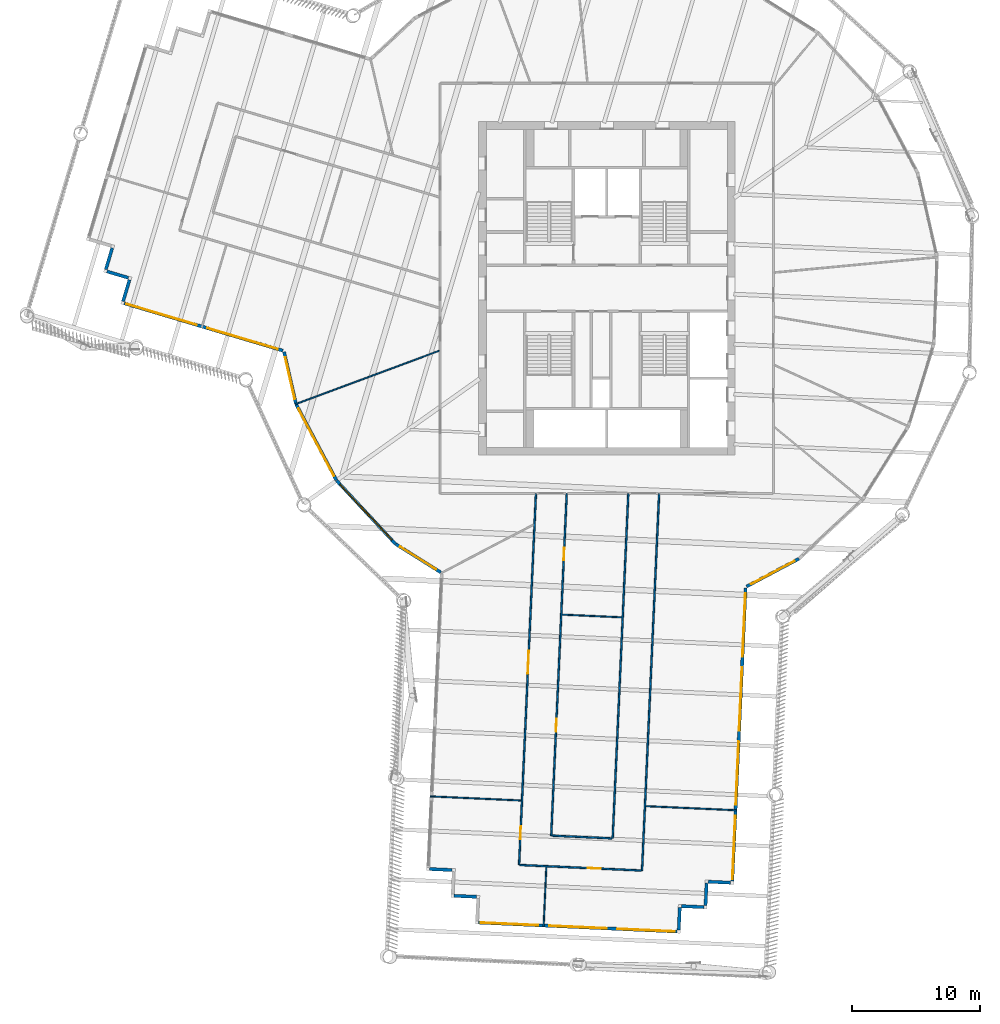
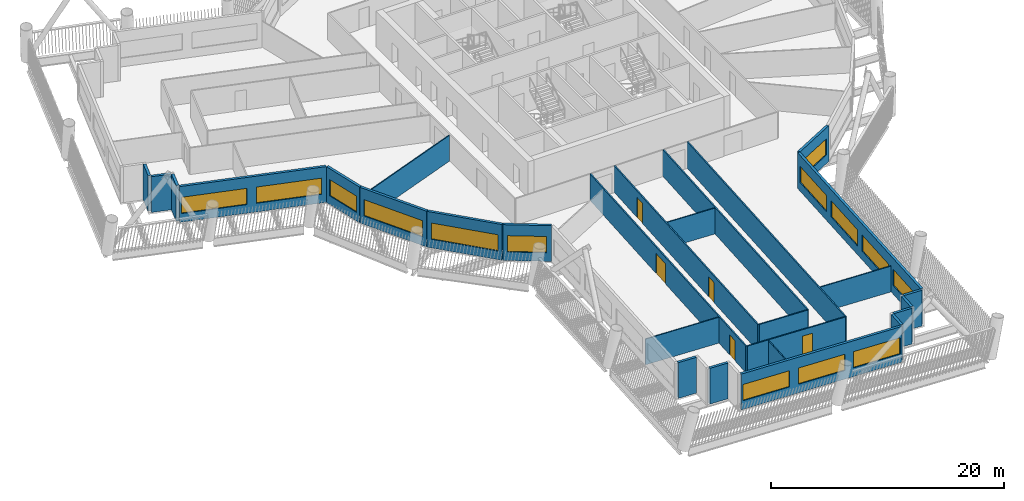
# One storey, part 3 of 24: 28 walls, 14 windows, 5 doors, 19 openings.
"""IFC4 building model written with IfcOpenShell, lengths in metres."""

from ifc_helpers import new_model, si_unit, direction, frame, frame_2d, origin, place, context, subcontext, project, spatial, rectangle, extrude, material, layer, layer_set, type_object, element, fill, save


model = new_model("IFC4")

# Units and contexts
model_context = context("Model", 3, precision=1e-05, world=origin(), true_north=direction((0.0, 1.0)))
body_context = subcontext(model_context, "Body", "Model", "MODEL_VIEW")
ifc_project = project(units=[si_unit("LENGTHUNIT", "METRE"), si_unit("AREAUNIT", "SQUARE_METRE"), si_unit("VOLUMEUNIT", "CUBIC_METRE"), si_unit("PLANEANGLEUNIT", "RADIAN"), si_unit("MASSUNIT", "GRAM", prefix="KILO")], contexts=[model_context])

# Site, building, storey
site_placement = place(None, origin())
site = spatial("IfcSite", under=ifc_project, at=site_placement, CompositionType="ELEMENT")
building_placement = place(site_placement, origin())
building = spatial("IfcBuilding", under=site, at=building_placement, Name="Tarsis Ring Headquarters", CompositionType="ELEMENT")
storey_placement = place(building_placement, frame((0.0, 0.0, 216.0)))
storey = spatial("IfcBuildingStorey", under=building, at=storey_placement, Name="L50", CompositionType="ELEMENT", Elevation=216.0)

# Walls
ifc_material_1 = material(Name="Gypsum board on steel studs", Category="steel")
ifc_layer_1 = layer(ifc_material_1, 0.10009765625)
ifc_layer_set_1 = layer_set([ifc_layer_1], Name="FL partition 100 unrated")
wall_type_1 = type_object("IfcWallType", Name="FL partition 100 unrated", PredefinedType="PARTITIONING", material=ifc_layer_set_1)
wall_1_placement = place(storey_placement, frame((-24.3203125, -9.044677734375, 0.0), z_axis=(0.0, 0.0, 1.0), x_axis=(0.937281539737, 0.348573256675, 0.0)))
element("IfcWall", 1, at=wall_1_placement, inside=storey, type_object=wall_type_1, Name="Partition PW3", PredefinedType="PARTITIONING", context=body_context, shape_type="SweptSolid", body=[
    extrude(rectangle(XDim=11.997802734375, YDim=0.10009765625, at=frame_2d((5.9990234375, 0.0))), origin(), (0.0, 0.0, 1.0), 2.699951171875),
])
for number, where, z_axis, x_axis, name in (
    (2, (3.041015625, -40.389404296875, 0.0), (0.0, 0.0, 1.0), (0.998969819592, -0.045379505785, 0.0), "Partition PW3"),
    (3, (-13.76171875, -39.62646484375, 0.0), (0.0, 0.0, 1.0), (0.998969819592, -0.045379505785, 0.0), "Partition PW3"),
):
    element("IfcWall", number, at=place(storey_placement, frame(where, z_axis=z_axis, x_axis=x_axis)), inside=storey, type_object=wall_type_1, Name=name, PredefinedType="PARTITIONING", context=body_context, shape_type="SweptSolid", body=[
        extrude(rectangle(XDim=7.080078125, YDim=0.10009765625, at=frame_2d((3.5400390625, 0.0))), origin(), (0.0, 0.0, 1.0), 2.699951171875),
    ])
wall_2_placement = place(storey_placement, frame((-3.488037109375, -25.447998046875, 0.0), z_axis=(0.0, 0.0, 1.0), x_axis=(0.998970267813, -0.045369637714, 0.0)))
element("IfcWall", 4, at=wall_2_placement, inside=storey, type_object=wall_type_1, Name="Partition PW3", PredefinedType="PARTITIONING", context=body_context, shape_type="SweptSolid", body=[
    extrude(rectangle(XDim=4.66015625, YDim=0.10009765625, at=frame_2d((2.330078125, 0.0))), origin(), (0.0, 0.0, 1.0), 2.699951171875),
])
wall_3_placement = place(storey_placement, frame((-4.93310546875, -49.777587890625, 0.0), z_axis=(0.0, 0.0, 1.0), x_axis=(0.045352769322, 0.998971033772, 0.0)))
element("IfcWall", 5, at=wall_3_placement, inside=storey, type_object=wall_type_1, Name="Partition PW3", PredefinedType="PARTITIONING", context=body_context, shape_type="SweptSolid", body=[
    extrude(rectangle(XDim=4.640380859375, YDim=0.10009765625, at=frame_2d((2.3203125, 0.0))), origin(), (0.0, 0.0, 1.0), 2.699951171875),
])
ifc_layer_2 = layer(ifc_material_1, 0.125)
ifc_layer_set_2 = layer_set([ifc_layer_2], Name="FL partition 125 EI 60 H2770")
wall_type_2 = type_object("IfcWallType", Name="FL partition 125 EI 60 H2770", PredefinedType="PARTITIONING", material=ifc_layer_set_2)
wall_4_placement = place(storey_placement, frame((2.742919921875, -45.4111328125, 0.0), z_axis=(0.0, 0.0, 1.0), x_axis=(0.045359513562, 0.998970727564, 0.0)))
element("IfcWall", 6, at=wall_4_placement, inside=storey, type_object=wall_type_2, Name="Partition PW1", PredefinedType="PARTITIONING", context=body_context, shape_type="SweptSolid", body=[
    extrude(rectangle(XDim=29.44140625, YDim=0.125, at=frame_2d((14.720703125, 0.0))), origin(), (0.0, 0.0, 1.0), 2.77001953125),
])

# Wall, openings, doors
wall_5_placement = place(storey_placement, frame((-6.847412109375, -44.9755859375, 0.0), z_axis=(0.0, 0.0, 1.0), x_axis=(0.045367953185, 0.998970344316, 0.0)))
wall_5 = element("IfcWall", 7, at=wall_5_placement, inside=storey, type_object=wall_type_2, Name="Partition PW1", PredefinedType="PARTITIONING", context=body_context, shape_type="SweptSolid", body=[
    extrude(rectangle(XDim=29.00537109375, YDim=0.125, at=frame_2d((14.502685546875, 0.0))), origin(), (0.0, 0.0, 1.0), 2.77001953125),
])
opening_1_placement = place(wall_5_placement, frame((2.0166015625, 0.0, 0.0)))
opening_1 = element("IfcOpeningElement", 8, at=opening_1_placement, cuts=wall_5, Name="Opening D50.12", PredefinedType="OPENING", context=body_context, shape_type="SweptSolid", body=[
    extrude(rectangle(XDim=1.0, YDim=2.10009765625, at=frame_2d((0.5, 1.050048828125))), frame((0.0, 0.072509765625, 0.0), z_axis=(0.0, -1.0, 0.0), x_axis=(1.0, 0.0, 0.0)), (0.0, 0.0, 1.0), 0.14501953125),
])
opening_2_placement = place(wall_5_placement, frame((14.922119140625, 0.0, 0.0)))
opening_2 = element("IfcOpeningElement", 9, at=opening_2_placement, cuts=wall_5, Name="Opening D50.13", PredefinedType="OPENING", context=body_context, shape_type="SweptSolid", body=[
    extrude(rectangle(XDim=1.800048828125, YDim=2.10009765625, at=frame_2d((0.89990234375, 1.050048828125))), frame((0.0, 0.072509765625, 0.0), z_axis=(0.0, -1.0, 0.0), x_axis=(1.0, 0.0, 0.0)), (0.0, 0.0, 1.0), 0.14501953125),
])
ifc_material_2 = material(Name="Fire-rated timber door leaf in steel frame", Category="steel")
door_type_1 = type_object("IfcDoorType", Name="FL door FD60-1000", OperationType="NOTDEFINED", PredefinedType="DOOR", material=ifc_material_2)
door_1_placement = place(opening_1_placement, origin())
door_1 = element("IfcDoor", 10, at=door_1_placement, inside=storey, type_object=door_type_1, Name="Door D50.12", OperationType="SINGLE_SWING_RIGHT", OverallHeight=2.10009765625, OverallWidth=1.0, PredefinedType="DOOR", context=body_context, shape_type="SweptSolid", body=[
    extrude(rectangle(XDim=1.0, YDim=2.10009765625, at=frame_2d((0.5, 1.050048828125))), frame((0.0, 0.02490234375, 0.0), z_axis=(0.0, -1.0, 0.0), x_axis=(1.0, 0.0, 0.0)), (0.0, 0.0, 1.0), 0.050048828125),
])
fill(opening_1, door_1)
door_type_2 = type_object("IfcDoorType", Name="FL door FD60-1800", OperationType="DOUBLE_DOOR_SINGLE_SWING", PredefinedType="DOOR", material=ifc_material_2)
door_2_placement = place(opening_2_placement, origin())
door_2 = element("IfcDoor", 11, at=door_2_placement, inside=storey, type_object=door_type_2, Name="Door D50.13", OperationType="DOUBLE_DOOR_SINGLE_SWING", OverallHeight=2.10009765625, OverallWidth=1.800048828125, PredefinedType="DOOR", context=body_context, shape_type="SweptSolid", body=[
    extrude(rectangle(XDim=1.800048828125, YDim=2.10009765625, at=frame_2d((0.89990234375, 1.050048828125))), frame((0.0, 0.02490234375, 0.0), z_axis=(0.0, -1.0, 0.0), x_axis=(1.0, 0.0, 0.0)), (0.0, 0.0, 1.0), 0.050048828125),
])
fill(opening_2, door_2)

# Wall
wall_6_placement = place(storey_placement, frame((0.4541015625, -42.90478515625, 0.0), z_axis=(0.0, 0.0, 1.0), x_axis=(0.04536078503, 0.99897066983, 0.0)))
element("IfcWall", 12, at=wall_6_placement, inside=storey, type_object=wall_type_2, Name="Partition PW1", PredefinedType="PARTITIONING", context=body_context, shape_type="SweptSolid", body=[
    extrude(rectangle(XDim=26.9326171875, YDim=0.125, at=frame_2d((13.46630859375, 0.0))), origin(), (0.0, 0.0, 1.0), 2.77001953125),
])

# Wall, openings, doors
wall_7_placement = place(storey_placement, frame((-4.3408203125, -42.68701171875, 0.0), z_axis=(0.0, 0.0, 1.0), x_axis=(0.045365377092, 0.998970461306, 0.0)))
wall_7 = element("IfcWall", 13, at=wall_7_placement, inside=storey, type_object=wall_type_2, Name="Partition PW1", PredefinedType="PARTITIONING", context=body_context, shape_type="SweptSolid", body=[
    extrude(rectangle(XDim=26.714599609375, YDim=0.125, at=frame_2d((13.357421875, 0.0))), origin(), (0.0, 0.0, 1.0), 2.77001953125),
])
opening_3_placement = place(wall_7_placement, frame((21.48779296875, 0.0, 0.0)))
opening_3 = element("IfcOpeningElement", 14, at=opening_3_placement, cuts=wall_7, Name="Opening D50.18", PredefinedType="OPENING", context=body_context, shape_type="SweptSolid", body=[
    extrude(rectangle(XDim=1.0, YDim=2.10009765625, at=frame_2d((0.5, 1.050048828125))), frame((0.0, 0.072509765625, 0.0), z_axis=(0.0, -1.0, 0.0), x_axis=(1.0, 0.0, 0.0)), (0.0, 0.0, 1.0), 0.14501953125),
])
opening_4_placement = place(wall_7_placement, frame((8.13037109375, 0.0, 0.0)))
opening_4 = element("IfcOpeningElement", 15, at=opening_4_placement, cuts=wall_7, Name="Opening D50.19", PredefinedType="OPENING", context=body_context, shape_type="SweptSolid", body=[
    extrude(rectangle(XDim=1.0, YDim=2.10009765625, at=frame_2d((0.5, 1.050048828125))), frame((0.0, 0.072509765625, 0.0), z_axis=(0.0, -1.0, 0.0), x_axis=(1.0, 0.0, 0.0)), (0.0, 0.0, 1.0), 0.14501953125),
])
door_3_placement = place(opening_3_placement, origin())
door_3 = element("IfcDoor", 16, at=door_3_placement, inside=storey, type_object=door_type_1, Name="Door D50.18", OperationType="SINGLE_SWING_RIGHT", OverallHeight=2.10009765625, OverallWidth=1.0, PredefinedType="DOOR", context=body_context, shape_type="SweptSolid", body=[
    extrude(rectangle(XDim=1.0, YDim=2.10009765625, at=frame_2d((0.5, 1.050048828125))), frame((0.0, 0.02490234375, 0.0), z_axis=(0.0, -1.0, 0.0), x_axis=(1.0, 0.0, 0.0)), (0.0, 0.0, 1.0), 0.050048828125),
])
fill(opening_3, door_3)
door_4_placement = place(opening_4_placement, origin())
door_4 = element("IfcDoor", 17, at=door_4_placement, inside=storey, type_object=door_type_1, Name="Door D50.19", OperationType="SINGLE_SWING_LEFT", OverallHeight=2.10009765625, OverallWidth=1.0, PredefinedType="DOOR", context=body_context, shape_type="SweptSolid", body=[
    extrude(rectangle(XDim=1.0, YDim=2.10009765625, at=frame_2d((0.5, 1.050048828125))), frame((0.0, 0.02490234375, 0.0), z_axis=(0.0, -1.0, 0.0), x_axis=(1.0, 0.0, 0.0)), (0.0, 0.0, 1.0), 0.050048828125),
])
fill(opening_4, door_4)

# Wall, opening, door
wall_8_placement = place(storey_placement, frame((-6.787353515625, -44.978515625, 0.0), z_axis=(0.0, 0.0, 1.0), x_axis=(0.998971087418, -0.04535158765, 0.0)))
wall_8 = element("IfcWall", 18, at=wall_8_placement, inside=storey, type_object=wall_type_2, Name="Partition PW1", PredefinedType="PARTITIONING", context=body_context, shape_type="SweptSolid", body=[
    extrude(rectangle(XDim=9.47998046875, YDim=0.125, at=frame_2d((4.739990234375, 0.0))), origin(), (0.0, 0.0, 1.0), 2.77001953125),
])
opening_5_placement = place(wall_8_placement, frame((5.306640625, 0.0, 0.0)))
opening_5 = element("IfcOpeningElement", 19, at=opening_5_placement, cuts=wall_8, Name="Opening D50.11", PredefinedType="OPENING", context=body_context, shape_type="SweptSolid", body=[
    extrude(rectangle(XDim=1.0, YDim=2.10009765625, at=frame_2d((0.5, 1.050048828125))), frame((0.0, 0.072509765625, 0.0), z_axis=(0.0, -1.0, 0.0), x_axis=(1.0, 0.0, 0.0)), (0.0, 0.0, 1.0), 0.14501953125),
])
door_5_placement = place(opening_5_placement, origin())
door_5 = element("IfcDoor", 20, at=door_5_placement, inside=storey, type_object=door_type_1, Name="Door D50.11", OperationType="SINGLE_SWING_LEFT", OverallHeight=2.10009765625, OverallWidth=1.0, PredefinedType="DOOR", context=body_context, shape_type="SweptSolid", body=[
    extrude(rectangle(XDim=1.0, YDim=2.10009765625, at=frame_2d((0.5, 1.050048828125))), frame((0.0, 0.02490234375, 0.0), z_axis=(0.0, -1.0, 0.0), x_axis=(1.0, 0.0, 0.0)), (0.0, 0.0, 1.0), 0.050048828125),
])
fill(opening_5, door_5)

# Wall
wall_9_placement = place(storey_placement, frame((-4.281005859375, -42.689697265625, 0.0), z_axis=(0.0, 0.0, 1.0), x_axis=(0.998969615508, -0.045383998198, 0.0)))
element("IfcWall", 21, at=wall_9_placement, inside=storey, type_object=wall_type_2, Name="Partition PW1", PredefinedType="PARTITIONING", context=body_context, shape_type="SweptSolid", body=[
    extrude(rectangle(XDim=4.68017578125, YDim=0.125, at=frame_2d((2.340087890625, 0.0))), origin(), (0.0, 0.0, 1.0), 2.77001953125),
])

# Wall, openings, windows
ifc_material_3 = material(Name="Terracotta clad insulated panel wall", Category="masonry")
ifc_layer_3 = layer(ifc_material_3, 0.25)
ifc_layer_set_3 = layer_set([ifc_layer_3], Name="Facade wall terracotta panel 250")
wall_type_3 = type_object("IfcWallType", Name="Facade wall terracotta panel 250", PredefinedType="STANDARD", material=ifc_layer_set_3)
wall_10_placement = place(storey_placement, frame((-37.652587890625, -1.166748046875, 0.0), z_axis=(0.0, 0.0, 1.0), x_axis=(0.958323521258, -0.285685191431, 0.0)))
wall_10 = element("IfcWall", 22, at=wall_10_placement, inside=storey, type_object=wall_type_3, Name="External wall L50-01", PredefinedType="STANDARD", context=body_context, shape_type="SweptSolid", body=[
    extrude(rectangle(XDim=12.922119140625, YDim=0.25, at=frame_2d((6.4609375, 0.0))), origin(), (0.0, 0.0, 1.0), 3.739990234375),
])
opening_6_placement = place(wall_10_placement, frame((0.16796875, 0.0, 0.89990234375)))
opening_6 = element("IfcOpeningElement", 23, at=opening_6_placement, cuts=wall_10, Name="Opening WN06", PredefinedType="OPENING", context=body_context, shape_type="SweptSolid", body=[
    extrude(rectangle(XDim=5.75, YDim=1.699951171875, at=frame_2d((2.875, 0.85009765625))), frame((0.0, 0.135009765625, 0.0), z_axis=(0.0, -1.0, 0.0), x_axis=(1.0, 0.0, 0.0)), (0.0, 0.0, 1.0), 0.27001953125),
])
opening_7_placement = place(wall_10_placement, frame((6.75390625, 0.0, 0.89990234375)))
opening_7 = element("IfcOpeningElement", 24, at=opening_7_placement, cuts=wall_10, Name="Opening WN06", PredefinedType="OPENING", context=body_context, shape_type="SweptSolid", body=[
    extrude(rectangle(XDim=5.75, YDim=1.699951171875, at=frame_2d((2.875, 0.85009765625))), frame((0.0, 0.135009765625, 0.0), z_axis=(0.0, -1.0, 0.0), x_axis=(1.0, 0.0, 0.0)), (0.0, 0.0, 1.0), 0.27001953125),
])
ifc_material_4 = material(Name="Aluminium framed double glazing", Category="aluminium")
window_type_1 = type_object("IfcWindowType", Name="Facade window 5750 x 1700", PartitioningType="SINGLE_PANEL", PredefinedType="WINDOW", material=ifc_material_4)
window_1_placement = place(opening_6_placement, origin())
window_1 = element("IfcWindow", 25, at=window_1_placement, inside=storey, type_object=window_type_1, Name="Window L50-01.1", OverallHeight=1.699951171875, OverallWidth=5.75, PartitioningType="SINGLE_PANEL", PredefinedType="WINDOW", context=body_context, shape_type="SweptSolid", body=[
    extrude(rectangle(XDim=5.75, YDim=1.699951171875, at=frame_2d((2.875, 0.85009765625))), frame((0.0, 0.030029296875, 0.0), z_axis=(0.0, -1.0, 0.0), x_axis=(1.0, 0.0, 0.0)), (0.0, 0.0, 1.0), 0.06005859375),
])
fill(opening_6, window_1)
window_2_placement = place(opening_7_placement, origin())
window_2 = element("IfcWindow", 26, at=window_2_placement, inside=storey, type_object=window_type_1, Name="Window L50-01.2", OverallHeight=1.699951171875, OverallWidth=5.75, PartitioningType="SINGLE_PANEL", PredefinedType="WINDOW", context=body_context, shape_type="SweptSolid", body=[
    extrude(rectangle(XDim=5.75, YDim=1.699951171875, at=frame_2d((2.875, 0.85009765625))), frame((0.0, 0.030029296875, 0.0), z_axis=(0.0, -1.0, 0.0), x_axis=(1.0, 0.0, 0.0)), (0.0, 0.0, 1.0), 0.06005859375),
])
fill(opening_7, window_2)

# Wall, opening, window
wall_11_placement = place(storey_placement, frame((-25.18310546875, -4.9501953125, 0.0), z_axis=(0.0, 0.0, 1.0), x_axis=(0.223255275169, -0.974760012572, 0.0)))
wall_11 = element("IfcWall", 27, at=wall_11_placement, inside=storey, type_object=wall_type_3, Name="External wall L50-02", PredefinedType="STANDARD", context=body_context, shape_type="SweptSolid", body=[
    extrude(rectangle(XDim=4.15771484375, YDim=0.25, at=frame_2d((2.078857421875, 0.0))), origin(), (0.0, 0.0, 1.0), 3.739990234375),
])
opening_8_placement = place(wall_11_placement, frame((0.420166015625, 0.0, 0.89990234375)))
opening_8 = element("IfcOpeningElement", 28, at=opening_8_placement, cuts=wall_11, Name="Opening WN01", PredefinedType="OPENING", context=body_context, shape_type="SweptSolid", body=[
    extrude(rectangle(XDim=3.35009765625, YDim=1.699951171875, at=frame_2d((1.675048828125, 0.85009765625))), frame((0.0, 0.135009765625, 0.0), z_axis=(0.0, -1.0, 0.0), x_axis=(1.0, 0.0, 0.0)), (0.0, 0.0, 1.0), 0.27001953125),
])
window_type_2 = type_object("IfcWindowType", Name="Facade window 3350 x 1700", PartitioningType="SINGLE_PANEL", PredefinedType="WINDOW", material=ifc_material_4)
window_3_placement = place(opening_8_placement, origin())
window_3 = element("IfcWindow", 29, at=window_3_placement, inside=storey, type_object=window_type_2, Name="Window L50-02.1", OverallHeight=1.699951171875, OverallWidth=3.35009765625, PartitioningType="SINGLE_PANEL", PredefinedType="WINDOW", context=body_context, shape_type="SweptSolid", body=[
    extrude(rectangle(XDim=3.35009765625, YDim=1.699951171875, at=frame_2d((1.675048828125, 0.85009765625))), frame((0.0, 0.030029296875, 0.0), z_axis=(0.0, -1.0, 0.0), x_axis=(1.0, 0.0, 0.0)), (0.0, 0.0, 1.0), 0.06005859375),
])
fill(opening_8, window_3)

wall_12_placement = place(storey_placement, frame((-24.243408203125, -9.033447265625, 0.0), z_axis=(0.0, 0.0, 1.0), x_axis=(0.467941123269, -0.883759642184, 0.0)))
wall_12 = element("IfcWall", 30, at=wall_12_placement, inside=storey, type_object=wall_type_3, Name="External wall L50-03", PredefinedType="STANDARD", context=body_context, shape_type="SweptSolid", body=[
    extrude(rectangle(XDim=6.721435546875, YDim=0.25, at=frame_2d((3.36083984375, 0.0))), origin(), (0.0, 0.0, 1.0), 3.739990234375),
])
opening_9_placement = place(wall_12_placement, frame((0.3857421875, 0.0, 0.89990234375)))
opening_9 = element("IfcOpeningElement", 31, at=opening_9_placement, cuts=wall_12, Name="Opening WN07", PredefinedType="OPENING", context=body_context, shape_type="SweptSolid", body=[
    extrude(rectangle(XDim=5.949951171875, YDim=1.699951171875, at=frame_2d((2.97509765625, 0.85009765625))), frame((0.0, 0.135009765625, 0.0), z_axis=(0.0, -1.0, 0.0), x_axis=(1.0, 0.0, 0.0)), (0.0, 0.0, 1.0), 0.27001953125),
])
window_type_3 = type_object("IfcWindowType", Name="Facade window 5950 x 1700", PartitioningType="SINGLE_PANEL", PredefinedType="WINDOW", material=ifc_material_4)
window_4_placement = place(opening_9_placement, origin())
window_4 = element("IfcWindow", 32, at=window_4_placement, inside=storey, type_object=window_type_3, Name="Window L50-03.1", OverallHeight=1.699951171875, OverallWidth=5.949951171875, PartitioningType="SINGLE_PANEL", PredefinedType="WINDOW", context=body_context, shape_type="SweptSolid", body=[
    extrude(rectangle(XDim=5.949951171875, YDim=1.699951171875, at=frame_2d((2.97509765625, 0.85009765625))), frame((0.0, 0.030029296875, 0.0), z_axis=(0.0, -1.0, 0.0), x_axis=(1.0, 0.0, 0.0)), (0.0, 0.0, 1.0), 0.06005859375),
])
fill(opening_9, window_4)

wall_13_placement = place(storey_placement, frame((-21.079345703125, -15.000244140625, 0.0), z_axis=(0.0, 0.0, 1.0), x_axis=(0.680715759773, -0.732547646503, 0.0)))
wall_13 = element("IfcWall", 33, at=wall_13_placement, inside=storey, type_object=wall_type_3, Name="External wall L50-04", PredefinedType="STANDARD", context=body_context, shape_type="SweptSolid", body=[
    extrude(rectangle(XDim=6.721435546875, YDim=0.25, at=frame_2d((3.36083984375, 0.0))), origin(), (0.0, 0.0, 1.0), 3.739990234375),
])
opening_10_placement = place(wall_13_placement, frame((0.3857421875, 0.0, 0.89990234375)))
opening_10 = element("IfcOpeningElement", 34, at=opening_10_placement, cuts=wall_13, Name="Opening WN07", PredefinedType="OPENING", context=body_context, shape_type="SweptSolid", body=[
    extrude(rectangle(XDim=5.949951171875, YDim=1.699951171875, at=frame_2d((2.97509765625, 0.85009765625))), frame((0.0, 0.135009765625, 0.0), z_axis=(0.0, -1.0, 0.0), x_axis=(1.0, 0.0, 0.0)), (0.0, 0.0, 1.0), 0.27001953125),
])
window_5_placement = place(opening_10_placement, origin())
window_5 = element("IfcWindow", 35, at=window_5_placement, inside=storey, type_object=window_type_3, Name="Window L50-04.1", OverallHeight=1.699951171875, OverallWidth=5.949951171875, PartitioningType="SINGLE_PANEL", PredefinedType="WINDOW", context=body_context, shape_type="SweptSolid", body=[
    extrude(rectangle(XDim=5.949951171875, YDim=1.699951171875, at=frame_2d((2.97509765625, 0.85009765625))), frame((0.0, 0.030029296875, 0.0), z_axis=(0.0, -1.0, 0.0), x_axis=(1.0, 0.0, 0.0)), (0.0, 0.0, 1.0), 0.06005859375),
])
fill(opening_10, window_5)

wall_14_placement = place(storey_placement, frame((-16.478759765625, -19.94482421875, 0.0), z_axis=(0.0, 0.0, 1.0), x_axis=(0.847106397566, -0.531423325799, 0.0)))
wall_14 = element("IfcWall", 36, at=wall_14_placement, inside=storey, type_object=wall_type_3, Name="External wall L50-05", PredefinedType="STANDARD", context=body_context, shape_type="SweptSolid", body=[
    extrude(rectangle(XDim=4.15771484375, YDim=0.25, at=frame_2d((2.078857421875, 0.0))), origin(), (0.0, 0.0, 1.0), 3.739990234375),
])
opening_11_placement = place(wall_14_placement, frame((0.38720703125, 0.0, 0.89990234375)))
opening_11 = element("IfcOpeningElement", 37, at=opening_11_placement, cuts=wall_14, Name="Opening WN01", PredefinedType="OPENING", context=body_context, shape_type="SweptSolid", body=[
    extrude(rectangle(XDim=3.35009765625, YDim=1.699951171875, at=frame_2d((1.675048828125, 0.85009765625))), frame((0.0, 0.135009765625, 0.0), z_axis=(0.0, -1.0, 0.0), x_axis=(1.0, 0.0, 0.0)), (0.0, 0.0, 1.0), 0.27001953125),
])
window_6_placement = place(opening_11_placement, origin())
window_6 = element("IfcWindow", 38, at=window_6_placement, inside=storey, type_object=window_type_2, Name="Window L50-05.1", OverallHeight=1.699951171875, OverallWidth=3.35009765625, PartitioningType="SINGLE_PANEL", PredefinedType="WINDOW", context=body_context, shape_type="SweptSolid", body=[
    extrude(rectangle(XDim=3.35009765625, YDim=1.699951171875, at=frame_2d((1.675048828125, 0.85009765625))), frame((0.0, 0.030029296875, 0.0), z_axis=(0.0, -1.0, 0.0), x_axis=(1.0, 0.0, 0.0)), (0.0, 0.0, 1.0), 0.06005859375),
])
fill(opening_11, window_6)

# Walls
for number, where, z_axis, x_axis, name in (
    (39, (-13.81884765625, -45.294677734375, 0.0), (0.0, 0.0, 1.0), (0.99897141493, -0.045344372884, 0.0), "External wall L50-07"),
    (40, (-11.91162109375, -47.383544921875, 0.0), (0.0, 0.0, 1.0), (0.99897141493, -0.045344372884, 0.0), "External wall L50-09"),
):
    element("IfcWall", number, at=place(storey_placement, frame(where, z_axis=z_axis, x_axis=x_axis)), inside=storey, type_object=wall_type_3, Name=name, PredefinedType="STANDARD", context=body_context, shape_type="SweptSolid", body=[
        extrude(rectangle(XDim=1.749755859375, YDim=0.25, at=frame_2d((0.875, 0.0))), origin(), (0.0, 0.0, 1.0), 3.739990234375),
    ])

# Wall, openings, windows
wall_15_placement = place(storey_placement, frame((-10.00439453125, -49.47216796875, 0.0), z_axis=(0.0, 0.0, 1.0), x_axis=(0.998970552779, -0.045363362745, 0.0)))
wall_15 = element("IfcWall", 41, at=wall_15_placement, inside=storey, type_object=wall_type_3, Name="External wall L50-11", PredefinedType="STANDARD", context=body_context, shape_type="SweptSolid", body=[
    extrude(rectangle(XDim=15.499755859375, YDim=0.25, at=frame_2d((7.75, 0.0))), origin(), (0.0, 0.0, 1.0), 3.739990234375),
])
opening_12_placement = place(wall_15_placement, frame((0.166748046875, 0.0, 0.89990234375)))
opening_12 = element("IfcOpeningElement", 42, at=opening_12_placement, cuts=wall_15, Name="Opening WN04", PredefinedType="OPENING", context=body_context, shape_type="SweptSolid", body=[
    extrude(rectangle(XDim=4.5, YDim=1.699951171875, at=frame_2d((2.25, 0.85009765625))), frame((0.0, 0.135009765625, 0.0), z_axis=(0.0, -1.0, 0.0), x_axis=(1.0, 0.0, 0.0)), (0.0, 0.0, 1.0), 0.27001953125),
])
opening_13_placement = place(wall_15_placement, frame((5.5, 0.0, 0.89990234375)))
opening_13 = element("IfcOpeningElement", 43, at=opening_13_placement, cuts=wall_15, Name="Opening WN04", PredefinedType="OPENING", context=body_context, shape_type="SweptSolid", body=[
    extrude(rectangle(XDim=4.5, YDim=1.699951171875, at=frame_2d((2.25, 0.85009765625))), frame((0.0, 0.135009765625, 0.0), z_axis=(0.0, -1.0, 0.0), x_axis=(1.0, 0.0, 0.0)), (0.0, 0.0, 1.0), 0.27001953125),
])
opening_14_placement = place(wall_15_placement, frame((10.833251953125, 0.0, 0.89990234375)))
opening_14 = element("IfcOpeningElement", 44, at=opening_14_placement, cuts=wall_15, Name="Opening WN04", PredefinedType="OPENING", context=body_context, shape_type="SweptSolid", body=[
    extrude(rectangle(XDim=4.5, YDim=1.699951171875, at=frame_2d((2.25, 0.85009765625))), frame((0.0, 0.135009765625, 0.0), z_axis=(0.0, -1.0, 0.0), x_axis=(1.0, 0.0, 0.0)), (0.0, 0.0, 1.0), 0.27001953125),
])
window_type_4 = type_object("IfcWindowType", Name="Facade window 4500 x 1700", PartitioningType="SINGLE_PANEL", PredefinedType="WINDOW", material=ifc_material_4)
window_7_placement = place(opening_12_placement, origin())
window_7 = element("IfcWindow", 45, at=window_7_placement, inside=storey, type_object=window_type_4, Name="Window L50-11.1", OverallHeight=1.699951171875, OverallWidth=4.5, PartitioningType="SINGLE_PANEL", PredefinedType="WINDOW", context=body_context, shape_type="SweptSolid", body=[
    extrude(rectangle(XDim=4.5, YDim=1.699951171875, at=frame_2d((2.25, 0.85009765625))), frame((0.0, 0.030029296875, 0.0), z_axis=(0.0, -1.0, 0.0), x_axis=(1.0, 0.0, 0.0)), (0.0, 0.0, 1.0), 0.06005859375),
])
fill(opening_12, window_7)
window_8_placement = place(opening_13_placement, origin())
window_8 = element("IfcWindow", 46, at=window_8_placement, inside=storey, type_object=window_type_4, Name="Window L50-11.2", OverallHeight=1.699951171875, OverallWidth=4.5, PartitioningType="SINGLE_PANEL", PredefinedType="WINDOW", context=body_context, shape_type="SweptSolid", body=[
    extrude(rectangle(XDim=4.5, YDim=1.699951171875, at=frame_2d((2.25, 0.85009765625))), frame((0.0, 0.030029296875, 0.0), z_axis=(0.0, -1.0, 0.0), x_axis=(1.0, 0.0, 0.0)), (0.0, 0.0, 1.0), 0.06005859375),
])
fill(opening_13, window_8)
window_9_placement = place(opening_14_placement, origin())
window_9 = element("IfcWindow", 47, at=window_9_placement, inside=storey, type_object=window_type_4, Name="Window L50-11.3", OverallHeight=1.699951171875, OverallWidth=4.5, PartitioningType="SINGLE_PANEL", PredefinedType="WINDOW", context=body_context, shape_type="SweptSolid", body=[
    extrude(rectangle(XDim=4.5, YDim=1.699951171875, at=frame_2d((2.25, 0.85009765625))), frame((0.0, 0.030029296875, 0.0), z_axis=(0.0, -1.0, 0.0), x_axis=(1.0, 0.0, 0.0)), (0.0, 0.0, 1.0), 0.06005859375),
])
fill(opening_14, window_9)

# Walls
for number, where, z_axis, x_axis, name in (
    (48, (5.610107421875, -50.055908203125, 0.0), (0.0, 0.0, 1.0), (0.045344372884, 0.99897141493, 0.0), "External wall L50-12"),
    (49, (5.820068359375, -48.188720703125, 0.0), (0.0, 0.0, 1.0), (0.99897141493, -0.045344372884, 0.0), "External wall L50-13"),
):
    element("IfcWall", number, at=place(storey_placement, frame(where, z_axis=z_axis, x_axis=x_axis)), inside=storey, type_object=wall_type_3, Name=name, PredefinedType="STANDARD", context=body_context, shape_type="SweptSolid", body=[
        extrude(rectangle(XDim=1.749755859375, YDim=0.25, at=frame_2d((0.875, 0.0))), origin(), (0.0, 0.0, 1.0), 3.739990234375),
    ])
for number, where, z_axis, x_axis, name in (
    (50, (7.69873046875, -48.14892578125, 0.0), (0.0, 0.0, 1.0), (0.045338053773, 0.998971701741, 0.0), "External wall L50-14"),
    (51, (7.90869140625, -46.281494140625, 0.0), (0.0, 0.0, 1.0), (0.998971701741, -0.045338053773, 0.0), "External wall L50-15"),
):
    element("IfcWall", number, at=place(storey_placement, frame(where, z_axis=z_axis, x_axis=x_axis)), inside=storey, type_object=wall_type_3, Name=name, PredefinedType="STANDARD", context=body_context, shape_type="SweptSolid", body=[
        extrude(rectangle(XDim=1.75, YDim=0.25, at=frame_2d((0.875, 0.0))), origin(), (0.0, 0.0, 1.0), 3.739990234375),
    ])

# Wall, openings, windows
wall_16_placement = place(storey_placement, frame((9.787353515625, -46.24169921875, 0.0), z_axis=(0.0, 0.0, 1.0), x_axis=(0.045360271262, 0.998970693159, 0.0)))
wall_16 = element("IfcWall", 52, at=wall_16_placement, inside=storey, type_object=wall_type_3, Name="External wall L50-16", PredefinedType="STANDARD", context=body_context, shape_type="SweptSolid", body=[
    extrude(rectangle(XDim=22.901611328125, YDim=0.25, at=frame_2d((11.45068359375, 0.0))), origin(), (0.0, 0.0, 1.0), 3.739990234375),
])
opening_15_placement = place(wall_16_placement, frame((0.1689453125, 0.0, 0.89990234375)))
opening_15 = element("IfcOpeningElement", 53, at=opening_15_placement, cuts=wall_16, Name="Opening WN05", PredefinedType="OPENING", context=body_context, shape_type="SweptSolid", body=[
    extrude(rectangle(XDim=4.949951171875, YDim=1.699951171875, at=frame_2d((2.47509765625, 0.85009765625))), frame((0.0, 0.135009765625, 0.0), z_axis=(0.0, -1.0, 0.0), x_axis=(1.0, 0.0, 0.0)), (0.0, 0.0, 1.0), 0.27001953125),
])
opening_16_placement = place(wall_16_placement, frame((5.956787109375, 0.0, 0.89990234375)))
opening_16 = element("IfcOpeningElement", 54, at=opening_16_placement, cuts=wall_16, Name="Opening WN05", PredefinedType="OPENING", context=body_context, shape_type="SweptSolid", body=[
    extrude(rectangle(XDim=4.949951171875, YDim=1.699951171875, at=frame_2d((2.47509765625, 0.85009765625))), frame((0.0, 0.135009765625, 0.0), z_axis=(0.0, -1.0, 0.0), x_axis=(1.0, 0.0, 0.0)), (0.0, 0.0, 1.0), 0.27001953125),
])
opening_17_placement = place(wall_16_placement, frame((11.74462890625, 0.0, 0.89990234375)))
opening_17 = element("IfcOpeningElement", 55, at=opening_17_placement, cuts=wall_16, Name="Opening WN05", PredefinedType="OPENING", context=body_context, shape_type="SweptSolid", body=[
    extrude(rectangle(XDim=4.949951171875, YDim=1.699951171875, at=frame_2d((2.47509765625, 0.85009765625))), frame((0.0, 0.135009765625, 0.0), z_axis=(0.0, -1.0, 0.0), x_axis=(1.0, 0.0, 0.0)), (0.0, 0.0, 1.0), 0.27001953125),
])
opening_18_placement = place(wall_16_placement, frame((17.532470703125, 0.0, 0.89990234375)))
opening_18 = element("IfcOpeningElement", 56, at=opening_18_placement, cuts=wall_16, Name="Opening WN05", PredefinedType="OPENING", context=body_context, shape_type="SweptSolid", body=[
    extrude(rectangle(XDim=4.949951171875, YDim=1.699951171875, at=frame_2d((2.47509765625, 0.85009765625))), frame((0.0, 0.135009765625, 0.0), z_axis=(0.0, -1.0, 0.0), x_axis=(1.0, 0.0, 0.0)), (0.0, 0.0, 1.0), 0.27001953125),
])
window_type_5 = type_object("IfcWindowType", Name="Facade window 4950 x 1700", PartitioningType="SINGLE_PANEL", PredefinedType="WINDOW", material=ifc_material_4)
window_10_placement = place(opening_15_placement, origin())
window_10 = element("IfcWindow", 57, at=window_10_placement, inside=storey, type_object=window_type_5, Name="Window L50-16.1", OverallHeight=1.699951171875, OverallWidth=4.949951171875, PartitioningType="SINGLE_PANEL", PredefinedType="WINDOW", context=body_context, shape_type="SweptSolid", body=[
    extrude(rectangle(XDim=4.949951171875, YDim=1.699951171875, at=frame_2d((2.47509765625, 0.85009765625))), frame((0.0, 0.030029296875, 0.0), z_axis=(0.0, -1.0, 0.0), x_axis=(1.0, 0.0, 0.0)), (0.0, 0.0, 1.0), 0.06005859375),
])
fill(opening_15, window_10)
window_11_placement = place(opening_16_placement, origin())
window_11 = element("IfcWindow", 58, at=window_11_placement, inside=storey, type_object=window_type_5, Name="Window L50-16.2", OverallHeight=1.699951171875, OverallWidth=4.949951171875, PartitioningType="SINGLE_PANEL", PredefinedType="WINDOW", context=body_context, shape_type="SweptSolid", body=[
    extrude(rectangle(XDim=4.949951171875, YDim=1.699951171875, at=frame_2d((2.47509765625, 0.85009765625))), frame((0.0, 0.030029296875, 0.0), z_axis=(0.0, -1.0, 0.0), x_axis=(1.0, 0.0, 0.0)), (0.0, 0.0, 1.0), 0.06005859375),
])
fill(opening_16, window_11)
window_12_placement = place(opening_17_placement, origin())
window_12 = element("IfcWindow", 59, at=window_12_placement, inside=storey, type_object=window_type_5, Name="Window L50-16.3", OverallHeight=1.699951171875, OverallWidth=4.949951171875, PartitioningType="SINGLE_PANEL", PredefinedType="WINDOW", context=body_context, shape_type="SweptSolid", body=[
    extrude(rectangle(XDim=4.949951171875, YDim=1.699951171875, at=frame_2d((2.47509765625, 0.85009765625))), frame((0.0, 0.030029296875, 0.0), z_axis=(0.0, -1.0, 0.0), x_axis=(1.0, 0.0, 0.0)), (0.0, 0.0, 1.0), 0.06005859375),
])
fill(opening_17, window_12)
window_13_placement = place(opening_18_placement, origin())
window_13 = element("IfcWindow", 60, at=window_13_placement, inside=storey, type_object=window_type_5, Name="Window L50-16.4", OverallHeight=1.699951171875, OverallWidth=4.949951171875, PartitioningType="SINGLE_PANEL", PredefinedType="WINDOW", context=body_context, shape_type="SweptSolid", body=[
    extrude(rectangle(XDim=4.949951171875, YDim=1.699951171875, at=frame_2d((2.47509765625, 0.85009765625))), frame((0.0, 0.030029296875, 0.0), z_axis=(0.0, -1.0, 0.0), x_axis=(1.0, 0.0, 0.0)), (0.0, 0.0, 1.0), 0.06005859375),
])
fill(opening_18, window_13)

# Wall, opening, window
wall_17_placement = place(storey_placement, frame((10.892578125, -23.259033203125, 0.0), z_axis=(0.0, 0.0, 1.0), x_axis=(0.883758336515, 0.467943589165, 0.0)))
wall_17 = element("IfcWall", 61, at=wall_17_placement, inside=storey, type_object=wall_type_3, Name="External wall L50-17", PredefinedType="STANDARD", context=body_context, shape_type="SweptSolid", body=[
    extrude(rectangle(XDim=4.617919921875, YDim=0.25, at=frame_2d((2.30908203125, 0.0))), origin(), (0.0, 0.0, 1.0), 3.739990234375),
])
opening_19_placement = place(wall_17_placement, frame((0.400390625, 0.0, 0.89990234375)))
opening_19 = element("IfcOpeningElement", 62, at=opening_19_placement, cuts=wall_17, Name="Opening WN02", PredefinedType="OPENING", context=body_context, shape_type="SweptSolid", body=[
    extrude(rectangle(XDim=3.85009765625, YDim=1.699951171875, at=frame_2d((1.925048828125, 0.85009765625))), frame((0.0, 0.135009765625, 0.0), z_axis=(0.0, -1.0, 0.0), x_axis=(1.0, 0.0, 0.0)), (0.0, 0.0, 1.0), 0.27001953125),
])
window_type_6 = type_object("IfcWindowType", Name="Facade window 3850 x 1700", PartitioningType="SINGLE_PANEL", PredefinedType="WINDOW", material=ifc_material_4)
window_14_placement = place(opening_19_placement, origin())
window_14 = element("IfcWindow", 63, at=window_14_placement, inside=storey, type_object=window_type_6, Name="Window L50-17.1", OverallHeight=1.699951171875, OverallWidth=3.85009765625, PartitioningType="SINGLE_PANEL", PredefinedType="WINDOW", context=body_context, shape_type="SweptSolid", body=[
    extrude(rectangle(XDim=3.85009765625, YDim=1.699951171875, at=frame_2d((1.925048828125, 0.85009765625))), frame((0.0, 0.030029296875, 0.0), z_axis=(0.0, -1.0, 0.0), x_axis=(1.0, 0.0, 0.0)), (0.0, 0.0, 1.0), 0.06005859375),
])
fill(opening_19, window_14)

# Walls
for number, where, z_axis, x_axis, name in (
    (64, (-38.58203125, 3.15380859375, 0.0), (0.0, 0.0, 1.0), (-0.285721957124, -0.958312560294, 0.0), "External wall L50-38"),
    (65, (-38.997802734375, 1.3212890625, 0.0), (0.0, 0.0, 1.0), (0.958312560294, -0.285721957124, 0.0), "External wall L50-39"),
    (66, (-37.23681640625, 0.665771484375, 0.0), (0.0, 0.0, 1.0), (-0.28559382619, -0.958350753348, 0.0), "External wall L50-40"),
):
    element("IfcWall", number, at=place(storey_placement, frame(where, z_axis=z_axis, x_axis=x_axis)), inside=storey, type_object=wall_type_3, Name=name, PredefinedType="STANDARD", context=body_context, shape_type="SweptSolid", body=[
        extrude(rectangle(XDim=1.75, YDim=0.25, at=frame_2d((0.875, 0.0))), origin(), (0.0, 0.0, 1.0), 3.739990234375),
    ])

save(model, "model.ifc")
